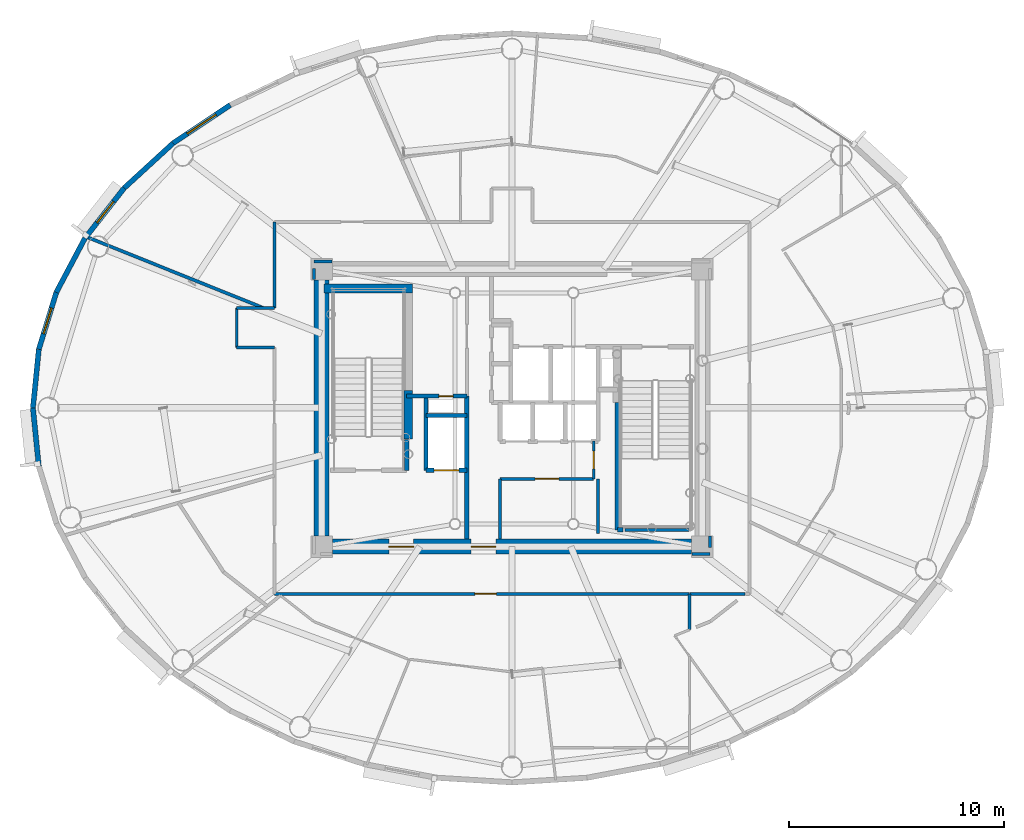
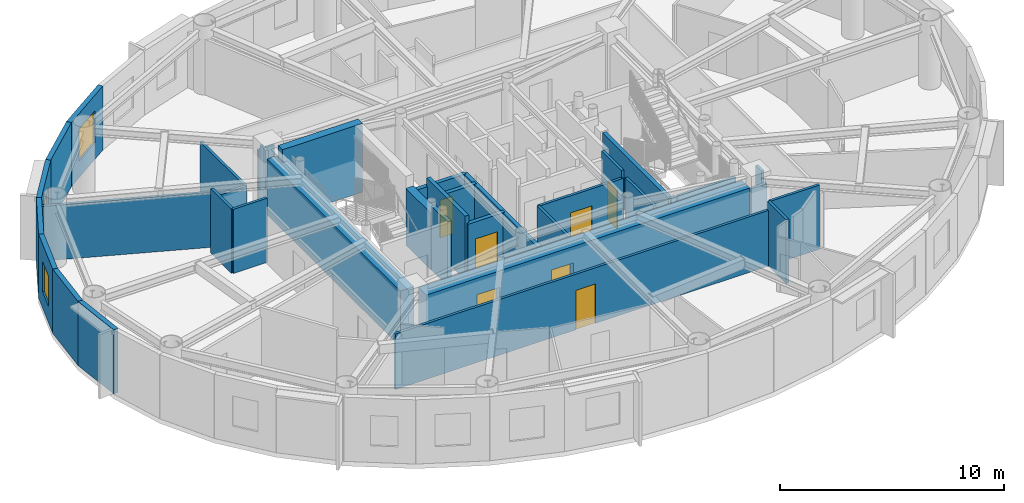
# One storey, part 7 of 16: 36 walls, 7 doors, 3 windows, 10 openings.
"""IFC4 building model written with IfcOpenShell, lengths in metres."""

from ifc_helpers import new_model, si_unit, direction, frame, frame_2d, origin, origin_2d, place, context, subcontext, project, spatial, rectangle, extrude, source, transform, mapped, material, layer, layer_set, type_object, element, fill, save


model = new_model("IFC4")

# Units and contexts
model_context = context("Model", 3, precision=1e-05, world=origin(), true_north=direction((0.0, 1.0)))
body_context = subcontext(model_context, "Body", "Model", "MODEL_VIEW")
ifc_project = project(units=[si_unit("LENGTHUNIT", "METRE"), si_unit("AREAUNIT", "SQUARE_METRE"), si_unit("VOLUMEUNIT", "CUBIC_METRE"), si_unit("PLANEANGLEUNIT", "RADIAN"), si_unit("MASSUNIT", "GRAM", prefix="KILO")], contexts=[model_context])

# Site, building, storey
site_placement = place(None, origin())
site = spatial("IfcSite", under=ifc_project, at=site_placement, CompositionType="ELEMENT")
building_placement = place(site_placement, origin())
building = spatial("IfcBuilding", under=site, at=building_placement, Name="Linh Dai School and Residence Tower", CompositionType="ELEMENT")
storey_placement = place(building_placement, frame((0.0, 0.0, 306.75)))
storey = spatial("IfcBuildingStorey", under=building, at=storey_placement, Name="L76", CompositionType="ELEMENT", Elevation=306.75)

# Wall, opening, window
ifc_material_1 = material(Name="Precast Concrete B45 (C35/45)", Category="concrete")
ifc_layer_1 = layer(ifc_material_1, 0.239990234375)
ifc_layer_set_1 = layer_set([ifc_layer_1], Name="Precast Concrete B45 (C35/45)")
wall_type_1 = type_object("IfcWallType", Name="EW-TC-240", PredefinedType="SOLIDWALL", material=ifc_layer_set_1)
wall_1_placement = place(storey_placement, frame((20.23779296875, 39.30419921875, 0.0), z_axis=(0.0, 0.0, 1.0), x_axis=(0.831250592635, 0.55589787933, 0.0)))
wall_1 = element("IfcWall", 1, at=wall_1_placement, inside=storey, type_object=wall_type_1, Name="L76 Terracotta Exterior Wall 15", PredefinedType="SOLIDWALL", context=body_context, shape_type="SweptSolid", body=[
    extrude(rectangle(XDim=3.197265625, YDim=0.239990234375, at=frame_2d((1.5986328125, 0.0))), origin(), (0.0, 0.0, 1.0), 3.5),
])
opening_1_placement = place(wall_1_placement, frame((0.798583984375, 0.0, 0.89990234375)))
opening_1 = element("IfcOpeningElement", 2, at=opening_1_placement, cuts=wall_1, Name="Opening W2", PredefinedType="OPENING", context=body_context, shape_type="SweptSolid", body=[
    extrude(rectangle(XDim=1.60009765625, YDim=1.75, at=origin_2d()), frame((0.800048828125, 0.1298828125, 0.875), z_axis=(0.0, -1.0, 0.0), x_axis=(1.0, 0.0, 0.0)), (0.0, 0.0, 1.0), 0.260009765625),
])
ifc_material_2 = material(Name="Double Low-E Insulated Glazing", Category="glass")
window_type_1 = type_object("IfcWindowType", Name="WN-RES-1600x1750", PartitioningType="DOUBLE_PANEL_VERTICAL", PredefinedType="WINDOW", material=ifc_material_2)
shared_shape_1 = source(origin(), body_context, "Body", "SweptSolid", [
    extrude(rectangle(XDim=1.60009765625, YDim=1.75, at=origin_2d()), frame((0.800048828125, 0.030029296875, 0.875), z_axis=(0.0, -1.0, 0.0), x_axis=(1.0, 0.0, 0.0)), (0.0, 0.0, 1.0), 0.06005859375),
])
window_1_placement = place(opening_1_placement, origin())
window_1 = element("IfcWindow", 3, at=window_1_placement, inside=storey, type_object=window_type_1, Name="L76 Exterior Window 15.1", OverallHeight=1.75, OverallWidth=1.60009765625, PartitioningType="DOUBLE_PANEL_VERTICAL", PredefinedType="WINDOW", context=body_context, shape_type="MappedRepresentation", body=[
    mapped(shared_shape_1, transform((0.0, 0.0, 0.0), x_axis=(1.0, 0.0, 0.0), y_axis=(0.0, 1.0, 0.0), z_axis=(0.0, 0.0, 1.0), scale=1.0)),
])
fill(opening_1, window_1)

# Wall
wall_2_placement = place(storey_placement, frame((17.9697265625, 37.224609375, 0.0), z_axis=(0.0, 0.0, 1.0), x_axis=(0.737068506972, 0.675818034703, 0.0)))
element("IfcWall", 4, at=wall_2_placement, inside=storey, type_object=wall_type_1, Name="L76 Terracotta Exterior Wall 16", PredefinedType="SOLIDWALL", context=body_context, shape_type="SweptSolid", body=[
    extrude(rectangle(XDim=3.0771484375, YDim=0.239990234375, at=frame_2d((1.53857421875, 0.0))), origin(), (0.0, 0.0, 1.0), 3.5),
])

# Wall, opening, window
wall_3_placement = place(storey_placement, frame((16.146240234375, 34.894775390625, 0.0), z_axis=(0.0, 0.0, 1.0), x_axis=(0.616337186556, 0.787482363275, 0.0)))
wall_3 = element("IfcWall", 5, at=wall_3_placement, inside=storey, type_object=wall_type_1, Name="L76 Terracotta Exterior Wall 17", PredefinedType="SOLIDWALL", context=body_context, shape_type="SweptSolid", body=[
    extrude(rectangle(XDim=2.95849609375, YDim=0.239990234375, at=frame_2d((1.479248046875, 0.0))), origin(), (0.0, 0.0, 1.0), 3.5),
])
opening_2_placement = place(wall_3_placement, frame((0.90869140625, 0.0, 0.89990234375)))
opening_2 = element("IfcOpeningElement", 6, at=opening_2_placement, cuts=wall_3, Name="Opening W3", PredefinedType="OPENING", context=body_context, shape_type="SweptSolid", body=[
    extrude(rectangle(XDim=1.25, YDim=1.64990234375, at=origin_2d()), frame((0.625, 0.1298828125, 0.824951171875), z_axis=(0.0, -1.0, 0.0), x_axis=(1.0, 0.0, 0.0)), (0.0, 0.0, 1.0), 0.260009765625),
])
window_type_2 = type_object("IfcWindowType", Name="WN-RES-1250x1650", PartitioningType="SINGLE_PANEL", PredefinedType="WINDOW", material=ifc_material_2)
shared_shape_2 = source(origin(), body_context, "Body", "SweptSolid", [
    extrude(rectangle(XDim=1.25, YDim=1.64990234375, at=origin_2d()), frame((0.625, 0.030029296875, 0.824951171875), z_axis=(0.0, -1.0, 0.0), x_axis=(1.0, 0.0, 0.0)), (0.0, 0.0, 1.0), 0.06005859375),
])
window_2_placement = place(opening_2_placement, origin())
window_2 = element("IfcWindow", 7, at=window_2_placement, inside=storey, type_object=window_type_2, Name="L76 Exterior Window 17.1", OverallHeight=1.64990234375, OverallWidth=1.25, PartitioningType="SINGLE_PANEL", PredefinedType="WINDOW", context=body_context, shape_type="MappedRepresentation", body=[
    mapped(shared_shape_2, transform((0.0, 0.0, 0.0), x_axis=(1.0, 0.0, 0.0), y_axis=(0.0, 1.0, 0.0), z_axis=(0.0, 0.0, 1.0), scale=1.0)),
])
fill(opening_2, window_2)

# Wall
wall_4_placement = place(storey_placement, frame((14.811767578125, 32.372314453125, 0.0), z_axis=(0.0, 0.0, 1.0), x_axis=(0.467628269026, 0.883925224218, 0.0)))
element("IfcWall", 8, at=wall_4_placement, inside=storey, type_object=wall_type_1, Name="L76 Terracotta Exterior Wall 18", PredefinedType="SOLIDWALL", context=body_context, shape_type="SweptSolid", body=[
    extrude(rectangle(XDim=2.853759765625, YDim=0.239990234375, at=frame_2d((1.4267578125, 0.0))), origin(), (0.0, 0.0, 1.0), 3.5),
])

# Wall, opening, window
wall_5_placement = place(storey_placement, frame((13.998291015625, 29.718994140625, 0.0), z_axis=(0.0, 0.0, 1.0), x_axis=(0.2931213403, 0.956075248012, 0.0)))
wall_5 = element("IfcWall", 9, at=wall_5_placement, inside=storey, type_object=wall_type_1, Name="L76 Terracotta Exterior Wall 19", PredefinedType="SOLIDWALL", context=body_context, shape_type="SweptSolid", body=[
    extrude(rectangle(XDim=2.775146484375, YDim=0.239990234375, at=frame_2d((1.3876953125, 0.0))), origin(), (0.0, 0.0, 1.0), 3.5),
])
opening_3_placement = place(wall_5_placement, frame((0.7626953125, 0.0, 0.89990234375)))
opening_3 = element("IfcOpeningElement", 10, at=opening_3_placement, cuts=wall_5, Name="Opening W3", PredefinedType="OPENING", context=body_context, shape_type="SweptSolid", body=[
    extrude(rectangle(XDim=1.25, YDim=1.64990234375, at=origin_2d()), frame((0.625, 0.1298828125, 0.824951171875), z_axis=(0.0, -1.0, 0.0), x_axis=(1.0, 0.0, 0.0)), (0.0, 0.0, 1.0), 0.260009765625),
])
window_3_placement = place(opening_3_placement, origin())
window_3 = element("IfcWindow", 11, at=window_3_placement, inside=storey, type_object=window_type_2, Name="L76 Exterior Window 19.1", OverallHeight=1.64990234375, OverallWidth=1.25, PartitioningType="SINGLE_PANEL", PredefinedType="WINDOW", context=body_context, shape_type="MappedRepresentation", body=[
    mapped(shared_shape_2, transform((0.0, 0.0, 0.0), x_axis=(1.0, 0.0, 0.0), y_axis=(0.0, 1.0, 0.0), z_axis=(0.0, 0.0, 1.0), scale=1.0)),
])
fill(opening_3, window_3)

# Walls
for number, where, z_axis, x_axis, name in (
    (12, (13.72509765625, 27.0, 0.0), (0.0, 0.0, 1.0), (0.099972526841, 0.99499019788, 0.0), "L76 Terracotta Exterior Wall 20"),
    (13, (13.998291015625, 24.281005859375, 0.0), (0.0, 0.0, 1.0), (-0.099972526841, 0.99499019788, 0.0), "L76 Terracotta Exterior Wall 21"),
):
    element("IfcWall", number, at=place(storey_placement, frame(where, z_axis=z_axis, x_axis=x_axis)), inside=storey, type_object=wall_type_1, Name=name, PredefinedType="SOLIDWALL", context=body_context, shape_type="SweptSolid", body=[
        extrude(rectangle(XDim=2.732666015625, YDim=0.239990234375, at=frame_2d((1.3662109375, 0.0))), origin(), (0.0, 0.0, 1.0), 3.5),
    ])
ifc_material_3 = material(Name="Autoclaved Aerated Concrete Blockwork", Category="masonry")
ifc_layer_2 = layer(ifc_material_3, 0.135009765625)
ifc_layer_set_2 = layer_set([ifc_layer_2], Name="Autoclaved Aerated Concrete Blockwork")
wall_type_2 = type_object("IfcWallType", Name="IW-CORR-135-EI90", PredefinedType="PARTITIONING", material=ifc_layer_set_2)
wall_6_placement = place(storey_placement, frame((23.199951171875, 29.800048828125, 0.0), z_axis=(0.0, 0.0, 1.0), x_axis=(0.0, 1.0, 0.0)))
element("IfcWall", 14, at=wall_6_placement, inside=storey, type_object=wall_type_2, Name="L76 Interior Partition Wall 006", PredefinedType="PARTITIONING", context=body_context, shape_type="SweptSolid", body=[
    extrude(rectangle(XDim=1.849853515625, YDim=0.135009765625, at=frame_2d((0.9248046875, 0.0))), origin(), (0.0, 0.0, 1.0), 3.5),
])
wall_7_placement = place(storey_placement, frame((23.199951171875, 29.800048828125, 0.0), z_axis=(0.0, 0.0, 1.0), x_axis=(1.0, 0.0, 0.0)))
element("IfcWall", 15, at=wall_7_placement, inside=storey, type_object=wall_type_2, Name="L76 Interior Partition Wall 007", PredefinedType="PARTITIONING", context=body_context, shape_type="SweptSolid", body=[
    extrude(rectangle(XDim=1.75, YDim=0.135009765625, at=frame_2d((0.875, 0.0))), origin(), (0.0, 0.0, 1.0), 3.5),
])
wall_8_placement = place(storey_placement, frame((23.199951171875, 31.64990234375, 0.0), z_axis=(0.0, 0.0, 1.0), x_axis=(1.0, 0.0, 0.0)))
element("IfcWall", 16, at=wall_8_placement, inside=storey, type_object=wall_type_2, Name="L76 Interior Partition Wall 008", PredefinedType="PARTITIONING", context=body_context, shape_type="SweptSolid", body=[
    extrude(rectangle(XDim=1.75, YDim=0.135009765625, at=frame_2d((0.875, 0.0))), origin(), (0.0, 0.0, 1.0), 3.034912109375),
])

# Wall, opening, door
wall_9_placement = place(storey_placement, frame((24.949951171875, 18.35009765625, 0.0), z_axis=(0.0, 0.0, 1.0), x_axis=(1.0, 0.0, 0.0)))
wall_9 = element("IfcWall", 17, at=wall_9_placement, inside=storey, type_object=wall_type_2, Name="L76 Interior Partition Wall 010", PredefinedType="PARTITIONING", context=body_context, shape_type="SweptSolid", body=[
    extrude(rectangle(XDim=19.310546875, YDim=0.135009765625, at=frame_2d((9.6552734375, 0.0))), origin(), (0.0, 0.0, 1.0), 3.034912109375),
])
opening_4_placement = place(wall_9_placement, frame((9.3193359375, 0.0, 0.0)))
opening_4 = element("IfcOpeningElement", 18, at=opening_4_placement, cuts=wall_9, Name="Opening D03", PredefinedType="OPENING", context=body_context, shape_type="SweptSolid", body=[
    extrude(rectangle(XDim=1.0, YDim=2.14990234375, at=origin_2d()), frame((0.5, 0.07763671875, 1.074951171875), z_axis=(0.0, -1.0, 0.0), x_axis=(1.0, 0.0, 0.0)), (0.0, 0.0, 1.0), 0.155029296875),
])
ifc_material_4 = material(Name="Fire-Rated Solid Timber Entrance Door", Category="wood")
door_type_1 = type_object("IfcDoorType", Name="DR-FLAT-1000x2150-FD60S", OperationType="NOTDEFINED", PredefinedType="DOOR", material=ifc_material_4)
shared_shape_3 = source(origin(), body_context, "Body", "SweptSolid", [
    extrude(rectangle(XDim=1.0, YDim=2.14990234375, at=origin_2d()), frame((0.5, 0.02490234375, 1.074951171875), z_axis=(0.0, -1.0, 0.0), x_axis=(1.0, 0.0, 0.0)), (0.0, 0.0, 1.0), 0.050048828125),
])
door_1_placement = place(opening_4_placement, origin())
door_1 = element("IfcDoor", 19, at=door_1_placement, inside=storey, type_object=door_type_1, Name="L76 U7601 Apartment Entrance Door", OperationType="SINGLE_SWING_RIGHT", OverallHeight=2.14990234375, OverallWidth=1.0, PredefinedType="DOOR", context=body_context, shape_type="MappedRepresentation", body=[
    mapped(shared_shape_3, transform((0.0, 0.0, 0.0), x_axis=(1.0, 0.0, 0.0), y_axis=(0.0, 1.0, 0.0), z_axis=(0.0, 0.0, 1.0), scale=1.0)),
])
fill(opening_4, door_1)

# Walls
wall_10_placement = place(storey_placement, frame((24.949951171875, 31.64990234375, 0.0), z_axis=(0.0, 0.0, 1.0), x_axis=(0.0, 1.0, 0.0)))
element("IfcWall", 20, at=wall_10_placement, inside=storey, type_object=wall_type_2, Name="L76 Interior Partition Wall 011", PredefinedType="PARTITIONING", context=body_context, shape_type="SweptSolid", body=[
    extrude(rectangle(XDim=4.0, YDim=0.135009765625, at=frame_2d((2.0, 0.0))), origin(), (0.0, 0.0, 1.0), 3.034912109375),
])
wall_11_placement = place(storey_placement, frame((35.449951171875, 20.89990234375, 0.0), z_axis=(0.0, 0.0, 1.0), x_axis=(0.0, 1.0, 0.0)))
element("IfcWall", 21, at=wall_11_placement, inside=storey, type_object=wall_type_2, Name="L76 Interior Partition Wall 037", PredefinedType="PARTITIONING", context=body_context, shape_type="SweptSolid", body=[
    extrude(rectangle(XDim=2.800048828125, YDim=0.135009765625, at=frame_2d((1.39990234375, 0.0))), origin(), (0.0, 0.0, 1.0), 3.0849609375),
])

# Wall, opening, door
wall_12_placement = place(storey_placement, frame((35.449951171875, 23.699951171875, 0.0), z_axis=(0.0, 0.0, 1.0), x_axis=(1.0, 0.0, 0.0)))
wall_12 = element("IfcWall", 22, at=wall_12_placement, inside=storey, type_object=wall_type_2, Name="L76 Interior Partition Wall 038", PredefinedType="PARTITIONING", context=body_context, shape_type="SweptSolid", body=[
    extrude(rectangle(XDim=4.35009765625, YDim=0.135009765625, at=frame_2d((2.175048828125, 0.0))), origin(), (0.0, 0.0, 1.0), 3.0849609375),
])
opening_5_placement = place(wall_12_placement, frame((1.625, 0.0, 0.0)))
opening_5 = element("IfcOpeningElement", 23, at=opening_5_placement, cuts=wall_12, Name="Opening D07", PredefinedType="OPENING", context=body_context, shape_type="SweptSolid", body=[
    extrude(rectangle(XDim=1.10009765625, YDim=2.14990234375, at=origin_2d()), frame((0.550048828125, 0.07763671875, 1.074951171875), z_axis=(0.0, -1.0, 0.0), x_axis=(1.0, 0.0, 0.0)), (0.0, 0.0, 1.0), 0.155029296875),
])
ifc_material_5 = material(Name="Fire-Rated Louvred Steel Plant Door", Category="steel")
door_type_2 = type_object("IfcDoorType", Name="DR-PLT-1100x2150-FD60S", OperationType="NOTDEFINED", PredefinedType="DOOR", material=ifc_material_5)
shared_shape_4 = source(origin(), body_context, "Body", "SweptSolid", [
    extrude(rectangle(XDim=1.10009765625, YDim=2.14990234375, at=origin_2d()), frame((0.550048828125, 0.02490234375, 1.074951171875), z_axis=(0.0, -1.0, 0.0), x_axis=(1.0, 0.0, 0.0)), (0.0, 0.0, 1.0), 0.050048828125),
])
door_2_placement = place(opening_5_placement, origin())
door_2 = element("IfcDoor", 24, at=door_2_placement, inside=storey, type_object=door_type_2, Name="L76 Tenant Metering and BMS Room Door", OperationType="SINGLE_SWING_LEFT", OverallHeight=2.14990234375, OverallWidth=1.10009765625, PredefinedType="DOOR", context=body_context, shape_type="MappedRepresentation", body=[
    mapped(shared_shape_4, transform((0.0, 0.0, 0.0), x_axis=(1.0, 0.0, 0.0), y_axis=(0.0, 1.0, 0.0), z_axis=(0.0, 0.0, 1.0), scale=1.0)),
])
fill(opening_5, door_2)

wall_13_placement = place(storey_placement, frame((39.800048828125, 23.699951171875, 0.0), z_axis=(0.0, 0.0, 1.0), x_axis=(0.0, 1.0, 0.0)))
wall_13 = element("IfcWall", 25, at=wall_13_placement, inside=storey, type_object=wall_type_2, Name="L76 Interior Partition Wall 053", PredefinedType="PARTITIONING", context=body_context, shape_type="SweptSolid", body=[
    extrude(rectangle(XDim=1.75, YDim=0.135009765625, at=frame_2d((0.875, 0.0))), origin(), (0.0, 0.0, 1.0), 3.5),
])
opening_6_placement = place(wall_13_placement, frame((0.465087890625, 0.0, 0.0)))
opening_6 = element("IfcOpeningElement", 26, at=opening_6_placement, cuts=wall_13, Name="Opening D06", PredefinedType="OPENING", context=body_context, shape_type="SweptSolid", body=[
    extrude(rectangle(XDim=0.820068359375, YDim=2.10009765625, at=origin_2d()), frame((0.41015625, 0.07763671875, 1.050048828125), z_axis=(0.0, -1.0, 0.0), x_axis=(1.0, 0.0, 0.0)), (0.0, 0.0, 1.0), 0.155029296875),
])
ifc_material_6 = material(Name="Moisture-Resistant Timber Bathroom Door", Category="wood")
door_type_3 = type_object("IfcDoorType", Name="DR-WET-820x2100", OperationType="NOTDEFINED", PredefinedType="DOOR", material=ifc_material_6)
shared_shape_5 = source(origin(), body_context, "Body", "SweptSolid", [
    extrude(rectangle(XDim=0.820068359375, YDim=2.10009765625, at=origin_2d()), frame((0.41015625, 0.02490234375, 1.050048828125), z_axis=(0.0, -1.0, 0.0), x_axis=(1.0, 0.0, 0.0)), (0.0, 0.0, 1.0), 0.050048828125),
])
door_3_placement = place(opening_6_placement, origin())
door_3 = element("IfcDoor", 27, at=door_3_placement, inside=storey, type_object=door_type_3, Name="L76 Core Housekeeping Store Door", OperationType="SINGLE_SWING_LEFT", OverallHeight=2.10009765625, OverallWidth=0.820068359375, PredefinedType="DOOR", context=body_context, shape_type="MappedRepresentation", body=[
    mapped(shared_shape_5, transform((0.0, 0.0, 0.0), x_axis=(1.0, 0.0, 0.0), y_axis=(0.0, 1.0, 0.0), z_axis=(0.0, 0.0, 1.0), scale=1.0)),
])
fill(opening_6, door_3)

# Walls
wall_14_placement = place(storey_placement, frame((44.239990234375, 21.330078125, 0.0), z_axis=(0.0, 0.0, 1.0), x_axis=(-1.0, 0.0, 0.0)))
element("IfcWall", 28, at=wall_14_placement, inside=storey, type_object=wall_type_2, Name="L76 Interior Partition Wall 073", PredefinedType="PARTITIONING", context=body_context, shape_type="SweptSolid", body=[
    extrude(rectangle(XDim=2.97998046875, YDim=0.135009765625, at=frame_2d((1.489990234375, 0.0))), origin(), (0.0, 0.0, 1.0), 3.034912109375),
])
wall_15_placement = place(storey_placement, frame((40.0, 23.699951171875, 0.0), z_axis=(0.0, 0.0, 1.0), x_axis=(0.0, -1.0, 0.0)))
element("IfcWall", 29, at=wall_15_placement, inside=storey, type_object=wall_type_2, Name="L76 Interior Partition Wall 074", PredefinedType="PARTITIONING", context=body_context, shape_type="SweptSolid", body=[
    extrude(rectangle(XDim=2.5400390625, YDim=0.135009765625, at=frame_2d((1.27001953125, 0.0))), origin(), (0.0, 0.0, 1.0), 3.034912109375),
])
wall_16_placement = place(storey_placement, frame((46.84521484375, 18.35009765625, 0.0), z_axis=(0.0, 0.0, 1.0), x_axis=(-1.0, 0.0, 0.0)))
element("IfcWall", 30, at=wall_16_placement, inside=storey, type_object=wall_type_2, Name="L76 Interior Partition Wall 075", PredefinedType="PARTITIONING", context=body_context, shape_type="SweptSolid", body=[
    extrude(rectangle(XDim=2.57470703125, YDim=0.135009765625, at=frame_2d((1.287353515625, 0.0))), origin(), (0.0, 0.0, 1.0), 3.5),
])
wall_17_placement = place(storey_placement, frame((27.639892578125, 33.800048828125, 0.0), z_axis=(0.0, 0.0, 1.0), x_axis=(-1.0, 0.0, 0.0)))
element("IfcWall", 31, at=wall_17_placement, inside=storey, type_object=wall_type_2, Name="L76 Interior Partition Wall 077", PredefinedType="PARTITIONING", context=body_context, shape_type="SweptSolid", body=[
    extrude(rectangle(XDim=0.83984375, YDim=0.135009765625, at=frame_2d((0.419921875, 0.0))), origin(), (0.0, 0.0, 1.0), 3.034912109375),
])
wall_18_placement = place(storey_placement, frame((26.800048828125, 33.492431640625, 0.0), z_axis=(0.0, 0.0, 1.0), x_axis=(0.0, -1.0, 0.0)))
element("IfcWall", 32, at=wall_18_placement, inside=storey, type_object=wall_type_2, Name="L76 Interior Partition Wall 078", PredefinedType="PARTITIONING", context=body_context, shape_type="SweptSolid", body=[
    extrude(rectangle(XDim=0.532470703125, YDim=0.135009765625, at=frame_2d((0.26611328125, 0.0))), origin(), (0.0, 0.0, 1.0), 3.5),
])
wall_19_placement = place(storey_placement, frame((44.360107421875, 20.199951171875, 0.0), z_axis=(0.0, 0.0, 1.0), x_axis=(1.0, 0.0, 0.0)))
element("IfcWall", 33, at=wall_19_placement, inside=storey, type_object=wall_type_2, Name="L76 Interior Partition Wall 081", PredefinedType="PARTITIONING", context=body_context, shape_type="SweptSolid", body=[
    extrude(rectangle(XDim=0.83984375, YDim=0.135009765625, at=frame_2d((0.419921875, 0.0))), origin(), (0.0, 0.0, 1.0), 3.034912109375),
])
wall_20_placement = place(storey_placement, frame((45.199951171875, 20.507568359375, 0.0), z_axis=(0.0, 0.0, 1.0), x_axis=(0.0, 1.0, 0.0)))
element("IfcWall", 34, at=wall_20_placement, inside=storey, type_object=wall_type_2, Name="L76 Interior Partition Wall 082", PredefinedType="PARTITIONING", context=body_context, shape_type="SweptSolid", body=[
    extrude(rectangle(XDim=0.532470703125, YDim=0.135009765625, at=frame_2d((0.26611328125, 0.0))), origin(), (0.0, 0.0, 1.0), 3.5),
])
wall_21_placement = place(storey_placement, frame((44.260498046875, 18.35009765625, 0.0), z_axis=(0.0, 0.0, 1.0), x_axis=(0.0, -1.0, 0.0)))
element("IfcWall", 35, at=wall_21_placement, inside=storey, type_object=wall_type_2, Name="L76 Interior Partition Wall 084", PredefinedType="PARTITIONING", context=body_context, shape_type="SweptSolid", body=[
    extrude(rectangle(XDim=1.66455078125, YDim=0.135009765625, at=frame_2d((0.832275390625, 0.0))), origin(), (0.0, 0.0, 1.0), 3.5),
])
ifc_layer_3 = layer(ifc_material_3, 0.14990234375)
ifc_layer_set_3 = layer_set([ifc_layer_3], Name="Autoclaved Aerated Concrete Blockwork")
wall_type_3 = type_object("IfcWallType", Name="IW-SCH-150-EI60", PredefinedType="PARTITIONING", material=ifc_layer_set_3)
wall_22_placement = place(storey_placement, frame((16.19287109375, 34.96240234375, 0.0), z_axis=(0.0, 0.0, 1.0), x_axis=(0.927839710722, -0.372979183343, 0.0)))
element("IfcWall", 36, at=wall_22_placement, inside=storey, type_object=wall_type_3, Name="L76 Interior Partition Wall 002", PredefinedType="PARTITIONING", context=body_context, shape_type="SweptSolid", body=[
    extrude(rectangle(XDim=8.8740234375, YDim=0.14990234375, at=frame_2d((4.43701171875, 0.0))), origin(), (0.0, 0.0, 1.0), 2.985107421875),
])
ifc_material_7 = material(Name="Concrete B45 (C35/45)", Category="concrete")
ifc_layer_4 = layer(ifc_material_7, 0.199951171875)
ifc_layer_set_4 = layer_set([ifc_layer_4], Name="Concrete B45 (C35/45)")
wall_type_4 = type_object("IfcWallType", Name="IW-SHAFT-200-EI120", PredefinedType="PARTITIONING", material=ifc_layer_set_4)
wall_23_placement = place(storey_placement, frame((31.10009765625, 24.10009765625, 0.0), z_axis=(0.0, 0.0, 1.0), x_axis=(0.0, 1.0, 0.0)))
element("IfcWall", 37, at=wall_23_placement, inside=storey, type_object=wall_type_4, Name="L76 Interior Partition Wall 019", PredefinedType="PARTITIONING", context=body_context, shape_type="SweptSolid", body=[
    extrude(rectangle(XDim=1.43994140625, YDim=0.199951171875, at=frame_2d((0.719970703125, 0.0))), origin(), (0.0, 0.0, 1.0), 3.5),
])

# Wall, opening, door
wall_24_placement = place(storey_placement, frame((31.10009765625, 27.550048828125, 0.0), z_axis=(0.0, 0.0, 1.0), x_axis=(1.0, 0.0, 0.0)))
wall_24 = element("IfcWall", 38, at=wall_24_placement, inside=storey, type_object=wall_type_4, Name="L76 Interior Partition Wall 020", PredefinedType="PARTITIONING", context=body_context, shape_type="SweptSolid", body=[
    extrude(rectangle(XDim=2.7998046875, YDim=0.199951171875, at=frame_2d((1.39990234375, 0.0))), origin(), (0.0, 0.0, 1.0), 3.0849609375),
])
opening_7_placement = place(wall_24_placement, frame((1.5, 0.0, 0.0)))
opening_7 = element("IfcOpeningElement", 39, at=opening_7_placement, cuts=wall_24, Name="Opening AD1", PredefinedType="OPENING", context=body_context, shape_type="SweptSolid", body=[
    extrude(rectangle(XDim=0.659912109375, YDim=2.050048828125, at=origin_2d()), frame((0.330078125, 0.10986328125, 1.02490234375), z_axis=(0.0, -1.0, 0.0), x_axis=(1.0, 0.0, 0.0)), (0.0, 0.0, 1.0), 0.219970703125),
])
ifc_material_8 = material(Name="Fire-Rated Steel Riser Access Door", Category="steel")
door_type_4 = type_object("IfcDoorType", Name="DR-ACC-660x2050-FD90S", OperationType="NOTDEFINED", PredefinedType="USERDEFINED", material=ifc_material_8)
shared_shape_6 = source(origin(), body_context, "Body", "SweptSolid", [
    extrude(rectangle(XDim=0.659912109375, YDim=2.050048828125, at=origin_2d()), frame((0.330078125, 0.02490234375, 1.02490234375), z_axis=(0.0, -1.0, 0.0), x_axis=(1.0, 0.0, 0.0)), (0.0, 0.0, 1.0), 0.050048828125),
])
door_4_placement = place(opening_7_placement, origin())
door_4 = element("IfcDoor", 40, at=door_4_placement, inside=storey, type_object=door_type_4, Name="L76 Main Electrical Riser Access Door", ObjectType="ACCESS DOOR", OperationType="SINGLE_SWING_RIGHT", OverallHeight=2.050048828125, OverallWidth=0.659912109375, PredefinedType="USERDEFINED", context=body_context, shape_type="MappedRepresentation", body=[
    mapped(shared_shape_6, transform((0.0, 0.0, 0.0), x_axis=(1.0, 0.0, 0.0), y_axis=(0.0, 1.0, 0.0), z_axis=(0.0, 0.0, 1.0), scale=1.0)),
])
fill(opening_7, door_4)

# Wall
wall_25_placement = place(storey_placement, frame((32.0, 24.10009765625, 0.0), z_axis=(0.0, 0.0, 1.0), x_axis=(0.0, 1.0, 0.0)))
element("IfcWall", 41, at=wall_25_placement, inside=storey, type_object=wall_type_4, Name="L76 Interior Partition Wall 023", PredefinedType="PARTITIONING", context=body_context, shape_type="SweptSolid", body=[
    extrude(rectangle(XDim=3.449951171875, YDim=0.199951171875, at=frame_2d((1.72509765625, 0.0))), origin(), (0.0, 0.0, 1.0), 3.5),
])

# Wall, opening, door
wall_26_placement = place(storey_placement, frame((32.0, 24.10009765625, 0.0), z_axis=(0.0, 0.0, 1.0), x_axis=(1.0, 0.0, 0.0)))
wall_26 = element("IfcWall", 42, at=wall_26_placement, inside=storey, type_object=wall_type_4, Name="L76 Interior Partition Wall 024", PredefinedType="PARTITIONING", context=body_context, shape_type="SweptSolid", body=[
    extrude(rectangle(XDim=1.89990234375, YDim=0.199951171875, at=frame_2d((0.949951171875, 0.0))), origin(), (0.0, 0.0, 1.0), 3.0849609375),
])
opening_8_placement = place(wall_26_placement, frame((0.375, 0.0, 0.0)))
opening_8 = element("IfcOpeningElement", 43, at=opening_8_placement, cuts=wall_26, Name="Opening LD-FF2", PredefinedType="OPENING", context=body_context, shape_type="SweptSolid", body=[
    extrude(rectangle(XDim=1.14990234375, YDim=2.14990234375, at=origin_2d()), frame((0.574951171875, 0.10986328125, 1.074951171875), z_axis=(0.0, -1.0, 0.0), x_axis=(1.0, 0.0, 0.0)), (0.0, 0.0, 1.0), 0.219970703125),
])
ifc_material_9 = material(Name="Fire-Rated Stainless Steel Firefighting Lift Door", Category="steel")
door_type_5 = type_object("IfcDoorType", Name="DR-LD-FF-1150x2150-FD120", OperationType="DOUBLE_DOOR_SLIDING", PredefinedType="USERDEFINED", material=ifc_material_9)
shared_shape_7 = source(origin(), body_context, "Body", "SweptSolid", [
    extrude(rectangle(XDim=1.14990234375, YDim=2.14990234375, at=origin_2d()), frame((0.574951171875, 0.02490234375, 1.074951171875), z_axis=(0.0, -1.0, 0.0), x_axis=(1.0, 0.0, 0.0)), (0.0, 0.0, 1.0), 0.050048828125),
])
door_5_placement = place(opening_8_placement, origin())
door_5 = element("IfcDoor", 44, at=door_5_placement, inside=storey, type_object=door_type_5, Name="L76 Lift FF2 Sliding Landing Door", ObjectType="LANDING DOOR", OperationType="DOUBLE_DOOR_SLIDING", OverallHeight=2.14990234375, OverallWidth=1.14990234375, PredefinedType="USERDEFINED", context=body_context, shape_type="MappedRepresentation", body=[
    mapped(shared_shape_7, transform((0.0, 0.0, 0.0), x_axis=(1.0, 0.0, 0.0), y_axis=(0.0, 1.0, 0.0), z_axis=(0.0, 0.0, 1.0), scale=1.0)),
])
fill(opening_8, door_5)

# Walls
wall_27_placement = place(storey_placement, frame((32.0, 26.64990234375, 0.0), z_axis=(0.0, 0.0, 1.0), x_axis=(1.0, 0.0, 0.0)))
element("IfcWall", 45, at=wall_27_placement, inside=storey, type_object=wall_type_4, Name="L76 Interior Partition Wall 025", PredefinedType="PARTITIONING", context=body_context, shape_type="SweptSolid", body=[
    extrude(rectangle(XDim=1.89990234375, YDim=0.199951171875, at=frame_2d((0.949951171875, 0.0))), origin(), (0.0, 0.0, 1.0), 3.0849609375),
])
wall_28_placement = place(storey_placement, frame((33.89990234375, 20.89990234375, 0.0), z_axis=(0.0, 0.0, 1.0), x_axis=(0.0, 1.0, 0.0)))
element("IfcWall", 46, at=wall_28_placement, inside=storey, type_object=wall_type_4, Name="L76 Interior Partition Wall 027", PredefinedType="PARTITIONING", context=body_context, shape_type="SweptSolid", body=[
    extrude(rectangle(XDim=6.650146484375, YDim=0.199951171875, at=frame_2d((3.3251953125, 0.0))), origin(), (0.0, 0.0, 1.0), 3.0849609375),
])
wall_29_placement = place(storey_placement, frame((40.89990234375, 21.330078125, 0.0), z_axis=(0.0, 0.0, 1.0), x_axis=(0.0, 1.0, 0.0)))
element("IfcWall", 47, at=wall_29_placement, inside=storey, type_object=wall_type_4, Name="L76 Interior Partition Wall 057", PredefinedType="PARTITIONING", context=body_context, shape_type="SweptSolid", body=[
    extrude(rectangle(XDim=5.909912109375, YDim=0.199951171875, at=frame_2d((2.955078125, 0.0))), origin(), (0.0, 0.0, 1.0), 3.034912109375),
])
wall_30_placement = place(storey_placement, frame((40.89990234375, 21.330078125, 0.0), z_axis=(0.0, 0.0, 1.0), x_axis=(1.0, 0.0, 0.0)))
element("IfcWall", 48, at=wall_30_placement, inside=storey, type_object=wall_type_4, Name="L76 Interior Partition Wall 058", PredefinedType="PARTITIONING", context=body_context, shape_type="SweptSolid", body=[
    extrude(rectangle(XDim=0.25, YDim=0.199951171875, at=frame_2d((0.125, 0.0))), origin(), (0.0, 0.0, 1.0), 3.034912109375),
])
ifc_layer_5 = layer(ifc_material_7, 0.39990234375)
ifc_layer_set_5 = layer_set([ifc_layer_5], Name="Concrete B45 (C35/45)")
wall_type_5 = type_object("IfcWallType", Name="WL-CORE400", PredefinedType="SHEAR", material=ifc_layer_set_5)
wall_31_placement = place(storey_placement, frame((27.25, 32.550048828125, 0.0), z_axis=(0.0, 0.0, 1.0), x_axis=(1.0, 0.0, 0.0)))
element("IfcWall", 49, at=wall_31_placement, inside=storey, type_object=wall_type_5, Name="L76 Core Stair ST1 Bearing Wall N", PredefinedType="SHEAR", context=body_context, shape_type="SweptSolid", body=[
    extrude(rectangle(XDim=4.1298828125, YDim=0.39990234375, at=frame_2d((2.06494140625, 0.0))), origin(), (0.0, 0.0, 1.0), 3.75),
])
wall_32_placement = place(storey_placement, frame((31.179931640625, 25.550048828125, 0.0), z_axis=(0.0, 0.0, 1.0), x_axis=(0.0, 1.0, 0.0)))
element("IfcWall", 50, at=wall_32_placement, inside=storey, type_object=wall_type_5, Name="L76 Internal Core Shear Wall IW", PredefinedType="SHEAR", context=body_context, shape_type="SweptSolid", body=[
    extrude(rectangle(XDim=2.25, YDim=0.39990234375, at=frame_2d((1.125, 0.0))), origin(), (0.0, 0.0, 1.0), 3.10009765625),
])

# Wall, openings, doors
ifc_layer_6 = layer(ifc_material_7, 0.699951171875)
ifc_layer_set_6 = layer_set([ifc_layer_6], Name="Concrete B45 (C35/45)")
wall_type_6 = type_object("IfcWallType", Name="WL-CORE700", PredefinedType="SHEAR", material=ifc_layer_set_6)
wall_33_placement = place(storey_placement, frame((44.35009765625, 20.550048828125, 0.0), z_axis=(0.0, 0.0, 1.0), x_axis=(-1.0, 0.0, 0.0)))
wall_33 = element("IfcWall", 51, at=wall_33_placement, inside=storey, type_object=wall_type_6, Name="L76 Central Core Shear Wall S", PredefinedType="SHEAR", context=body_context, shape_type="SweptSolid", body=[
    extrude(rectangle(XDim=16.7001953125, YDim=0.699951171875, at=frame_2d((8.35009765625, 0.0))), origin(), (0.0, 0.0, 1.0), 3.050048828125),
])
opening_9_placement = place(wall_33_placement, frame((12.925048828125, 0.0, 0.0)))
opening_9 = element("IfcOpeningElement", 52, at=opening_9_placement, cuts=wall_33, Name="Opening D02", PredefinedType="OPENING", context=body_context, shape_type="SweptSolid", body=[
    extrude(rectangle(XDim=1.14990234375, YDim=2.14990234375, at=origin_2d()), frame((0.574951171875, 0.35986328125, 1.074951171875), z_axis=(0.0, -1.0, 0.0), x_axis=(1.0, 0.0, 0.0)), (0.0, 0.0, 1.0), 0.719970703125),
])
opening_10_placement = place(wall_33_placement, frame((9.10009765625, 0.0, 0.0)))
opening_10 = element("IfcOpeningElement", 53, at=opening_10_placement, cuts=wall_33, Name="Opening D02", PredefinedType="OPENING", context=body_context, shape_type="SweptSolid", body=[
    extrude(rectangle(XDim=1.14990234375, YDim=2.14990234375, at=origin_2d()), frame((0.574951171875, 0.35986328125, 1.074951171875), z_axis=(0.0, -1.0, 0.0), x_axis=(1.0, 0.0, 0.0)), (0.0, 0.0, 1.0), 0.719970703125),
])
ifc_material_10 = material(Name="Fire-Rated Glazed Steel Lobby Door", Category="steel")
door_type_6 = type_object("IfcDoorType", Name="DR-LOBBY-1150x2150-FD90S", OperationType="NOTDEFINED", PredefinedType="DOOR", material=ifc_material_10)
shared_shape_8 = source(origin(), body_context, "Body", "SweptSolid", [
    extrude(rectangle(XDim=1.14990234375, YDim=2.14990234375, at=origin_2d()), frame((0.574951171875, 0.02490234375, 1.074951171875), z_axis=(0.0, -1.0, 0.0), x_axis=(1.0, 0.0, 0.0)), (0.0, 0.0, 1.0), 0.050048828125),
])
door_6_placement = place(opening_9_placement, origin())
door_6 = element("IfcDoor", 54, at=door_6_placement, inside=storey, type_object=door_type_6, Name="L76 Firefighting Lobby Door", OperationType="SINGLE_SWING_LEFT", OverallHeight=2.14990234375, OverallWidth=1.14990234375, PredefinedType="DOOR", context=body_context, shape_type="MappedRepresentation", body=[
    mapped(shared_shape_8, transform((0.0, 0.0, 0.0), x_axis=(1.0, 0.0, 0.0), y_axis=(0.0, 1.0, 0.0), z_axis=(0.0, 0.0, 1.0), scale=1.0)),
])
fill(opening_9, door_6)
door_7_placement = place(opening_10_placement, origin())
door_7 = element("IfcDoor", 55, at=door_7_placement, inside=storey, type_object=door_type_6, Name="L76 Passenger Foyer Access Door", OperationType="SINGLE_SWING_LEFT", OverallHeight=2.14990234375, OverallWidth=1.14990234375, PredefinedType="DOOR", context=body_context, shape_type="MappedRepresentation", body=[
    mapped(shared_shape_8, transform((0.0, 0.0, 0.0), x_axis=(1.0, 0.0, 0.0), y_axis=(0.0, 1.0, 0.0), z_axis=(0.0, 0.0, 1.0), scale=1.0)),
])
fill(opening_10, door_7)

# Wall
wall_34_placement = place(storey_placement, frame((27.14990234375, 21.050048828125, 0.0), z_axis=(0.0, 0.0, 1.0), x_axis=(0.0, 1.0, 0.0)))
element("IfcWall", 56, at=wall_34_placement, inside=storey, type_object=wall_type_6, Name="L76 Central Core Shear Wall W", PredefinedType="SHEAR", context=body_context, shape_type="SweptSolid", body=[
    extrude(rectangle(XDim=11.89990234375, YDim=0.699951171875, at=frame_2d((5.949951171875, 0.0))), origin(), (0.0, 0.0, 1.0), 3.050048828125),
])

save(model, "model.ifc")
